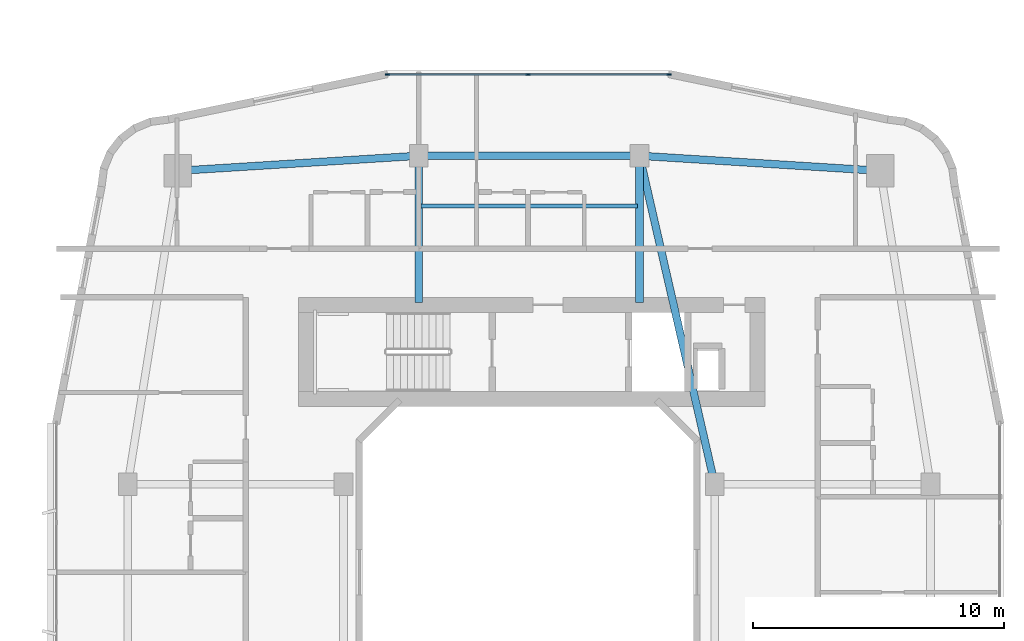
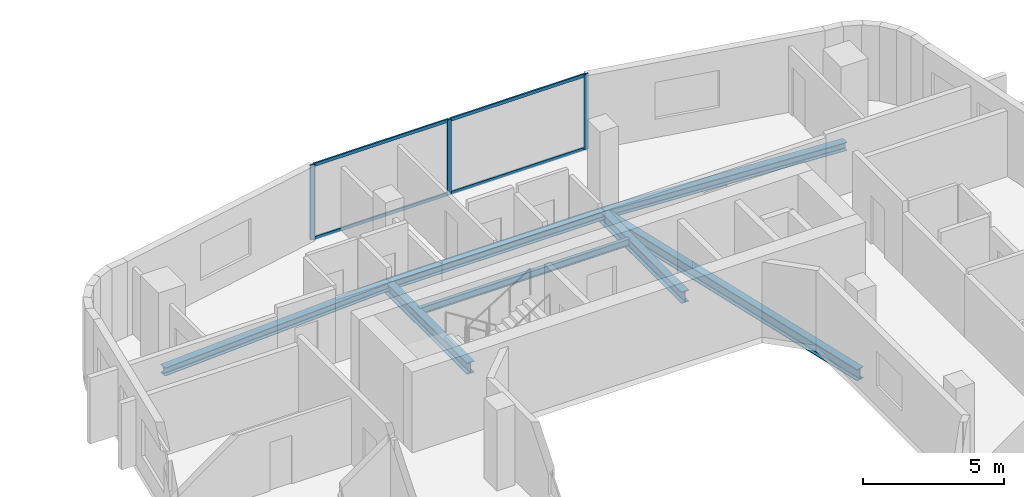
# One storey, part 11 of 26: 7 beams, 7 members, 1 element without a shape of its own.
"""IFC4 building model written with IfcOpenShell, lengths in metres."""

from ifc_helpers import new_model, si_unit, derived_unit, direction, frame, origin, origin_2d, place, context, subcontext, project, spatial, rectangle, i_section, extrude, material, layer, layer_set, material_profile, profile_set, type_object, element, aggregate, save


model = new_model("IFC4")

# Units and contexts
model_context = context("Model", 3, precision=1e-05, world=origin(), true_north=direction((0.0, 1.0)))
body_context = subcontext(model_context, "Body", "Model", "MODEL_VIEW")
ifc_project = project(units=[si_unit("LENGTHUNIT", "METRE"), si_unit("AREAUNIT", "SQUARE_METRE"), si_unit("VOLUMEUNIT", "CUBIC_METRE"), si_unit("PLANEANGLEUNIT", "RADIAN"), si_unit("MASSUNIT", "GRAM", prefix="KILO"), derived_unit("THERMALTRANSMITTANCEUNIT", [(si_unit("POWERUNIT", "WATT"), 1), (si_unit("LENGTHUNIT", "METRE"), -2), (si_unit("THERMODYNAMICTEMPERATUREUNIT", "KELVIN"), -1)])], contexts=[model_context])

# Site, building, storey
site_placement = place(None, origin())
site = spatial("IfcSite", under=ifc_project, at=site_placement, CompositionType="ELEMENT")
building_placement = place(site_placement, origin())
building = spatial("IfcBuilding", under=site, at=building_placement, Name="Kivonza Crest Hotel", CompositionType="ELEMENT")
storey_placement = place(building_placement, frame((0.0, 0.0, 45.0)))
storey = spatial("IfcBuildingStorey", under=building, at=storey_placement, Name="L11", CompositionType="ELEMENT", Elevation=45.0)

# Beams
ifc_material_1 = material(Name="Steel S355", Category="steel")
ifc_material_profile_1 = material_profile(ifc_material_1, i_section(OverallWidth=0.300048828125, OverallDepth=0.360107421875, WebThickness=0.012451171875, FlangeThickness=0.0224609375, FilletRadius=0.027099609375, at=origin_2d()), Name="HEB 360")
ifc_profile_set_1 = profile_set([ifc_material_profile_1], Name="Steel S355")
beam_type_1 = type_object("IfcBeamType", Name="BM-HEB360", PredefinedType="SPANDREL", material=ifc_profile_set_1)
beam_1_placement = place(storey_placement, frame((91.0, 41.0, -0.429931640625), z_axis=(-0.998051985873, 0.062387767186, 0.0), x_axis=(-0.062387767186, -0.998051985873, 0.0)))
element("IfcBeam", 1, at=beam_1_placement, inside=storey, type_object=beam_type_1, Name="Companion Tower T2 L11 perimeter spandrel NE-N2", PredefinedType="SPANDREL", context=body_context, shape_type="SweptSolid", body=[
    extrude(i_section(OverallWidth=0.300048828125, OverallDepth=0.360107421875, WebThickness=0.012451171875, FlangeThickness=0.0224609375, FilletRadius=0.027099609375, at=origin_2d()), origin(), (0.0, 0.0, 1.0), 9.618896484375),
])
beam_2_placement = place(storey_placement, frame((81.39990234375, 41.60009765625, -0.429931640625), z_axis=(-1.0, 0.0, 0.0), x_axis=(0.0, -1.0, 0.0)))
element("IfcBeam", 2, at=beam_2_placement, inside=storey, type_object=beam_type_1, Name="Companion Tower T2 L11 perimeter spandrel N2-N1", PredefinedType="SPANDREL", context=body_context, shape_type="SweptSolid", body=[
    extrude(i_section(OverallWidth=0.300048828125, OverallDepth=0.360107421875, WebThickness=0.012451171875, FlangeThickness=0.0224609375, FilletRadius=0.027099609375, at=origin_2d()), origin(), (0.0, 0.0, 1.0), 8.7998046875),
])
beam_3_placement = place(storey_placement, frame((72.60009765625, 41.60009765625, -0.429931640625), z_axis=(-0.998051985873, -0.062387767186, 0.0), x_axis=(0.062387767186, -0.998051985873, 0.0)))
element("IfcBeam", 3, at=beam_3_placement, inside=storey, type_object=beam_type_1, Name="Companion Tower T2 L11 perimeter spandrel N1-NW", PredefinedType="SPANDREL", context=body_context, shape_type="SweptSolid", body=[
    extrude(i_section(OverallWidth=0.300048828125, OverallDepth=0.360107421875, WebThickness=0.012451171875, FlangeThickness=0.0224609375, FilletRadius=0.027099609375, at=origin_2d()), origin(), (0.0, 0.0, 1.0), 9.618896484375),
])
ifc_material_profile_2 = material_profile(ifc_material_1, i_section(OverallWidth=0.300048828125, OverallDepth=0.5, WebThickness=0.014404296875, FlangeThickness=0.028076171875, FilletRadius=0.027099609375, at=origin_2d()), Name="HEB 500")
ifc_profile_set_2 = profile_set([ifc_material_profile_2], Name="Steel S355")
beam_type_2 = type_object("IfcBeamType", Name="BM-HEB500", PredefinedType="BEAM", material=ifc_profile_set_2)
beam_4_placement = place(storey_placement, frame((84.39990234375, 28.5, -0.5), z_axis=(-0.223227287589, 0.974766422317, 0.0), x_axis=(-0.974766422317, -0.223227287589, 0.0)))
element("IfcBeam", 4, at=beam_4_placement, inside=storey, type_object=beam_type_2, Name="Companion Tower T2 L11 girder WR2-N2", PredefinedType="BEAM", context=body_context, shape_type="SweptSolid", body=[
    extrude(i_section(OverallWidth=0.300048828125, OverallDepth=0.5, WebThickness=0.014404296875, FlangeThickness=0.028076171875, FilletRadius=0.027099609375, at=origin_2d()), origin(), (0.0, 0.0, 1.0), 13.439208984375),
])
for number, where, z_axis, x_axis, name in (
    (5, (72.60009765625, 41.60009765625, -0.5), (0.0, -1.0, 0.0), (1.0, 0.0, 0.0), "Companion T2 L11 radial core girder RN1"),
    (6, (81.39990234375, 41.60009765625, -0.5), (0.0, -1.0, 0.0), (1.0, 0.0, 0.0), "Companion T2 L11 radial core girder RN2"),
):
    element("IfcBeam", number, at=place(storey_placement, frame(where, z_axis=z_axis, x_axis=x_axis)), inside=storey, type_object=beam_type_2, Name=name, PredefinedType="BEAM", context=body_context, shape_type="SweptSolid", body=[
        extrude(i_section(OverallWidth=0.300048828125, OverallDepth=0.5, WebThickness=0.014404296875, FlangeThickness=0.028076171875, FilletRadius=0.027099609375, at=origin_2d()), origin(), (0.0, 0.0, 1.0), 5.85009765625),
    ])
ifc_material_profile_3 = material_profile(ifc_material_1, i_section(OverallWidth=0.14990234375, OverallDepth=0.300048828125, WebThickness=0.007080078125, FlangeThickness=0.0107421875, FilletRadius=0.014892578125, at=origin_2d()), Name="IPE 300")
ifc_profile_set_3 = profile_set([ifc_material_profile_3], Name="Steel S355")
beam_type_3 = type_object("IfcBeamType", Name="BM-IPE300", PredefinedType="JOIST", material=ifc_profile_set_3)
beam_5_placement = place(storey_placement, frame((72.679931640625, 39.60009765625, -0.39990234375), z_axis=(1.0, 0.0, 0.0), x_axis=(0.0, 1.0, 0.0)))
element("IfcBeam", 7, at=beam_5_placement, inside=storey, type_object=beam_type_3, Name="Companion Tower T2 L11 North floor joist", PredefinedType="JOIST", context=body_context, shape_type="SweptSolid", body=[
    extrude(i_section(OverallWidth=0.14990234375, OverallDepth=0.300048828125, WebThickness=0.007080078125, FlangeThickness=0.0107421875, FilletRadius=0.014892578125, at=origin_2d()), origin(), (0.0, 0.0, 1.0), 8.64013671875),
])

# Curtain wall, members
ifc_material_2 = material(Name="Anodised bronze aluminium and low-E double glazing", Category="aluminium")
ifc_layer = layer(ifc_material_2, 0.179931640625)
ifc_layer_set = layer_set([ifc_layer], Name="Anodised bronze aluminium and low-E double glazing")
curtain_wall_type = type_object("IfcCurtainWallType", Name="CW-SYS-4", PredefinedType="NOTDEFINED", material=ifc_layer_set)
curtain_wall_placement = place(storey_placement, origin())
curtain_wall = element("IfcCurtainWall", 8, at=curtain_wall_placement, inside=storey, type_object=curtain_wall_type, Name="L11 unitised curtain wall CW-T2-L11-26", PredefinedType="NOTDEFINED")
ifc_material_3 = material(Name="Anodised bronze aluminium", Category="aluminium")
ifc_material_profile_4 = material_profile(ifc_material_3, rectangle(XDim=0.06494140625, YDim=0.179931640625, at=origin_2d()), Name="CW-M 65x180")
ifc_profile_set_4 = profile_set([ifc_material_profile_4], Name="Anodised bronze aluminium")
member_type_1 = type_object("IfcMemberType", Name="CW-MUL-65x180", PredefinedType="MULLION", material=ifc_profile_set_4)
member_1_placement = place(storey_placement, frame((82.575439453125, 44.840087890625, 0.0), z_axis=(0.0, 0.0, 1.0), x_axis=(0.0, -1.0, 0.0)))
member_1 = element("IfcMember", 9, at=member_1_placement, type_object=member_type_1, Name="CW-4 mullion 1", PredefinedType="MULLION", context=body_context, shape_type="SweptSolid", body=[
    extrude(rectangle(XDim=0.06494140625, YDim=0.179931640625, at=origin_2d()), origin(), (0.0, 0.0, 1.0), 3.25),
])
member_2_placement = place(storey_placement, frame((76.9599609375, 44.840087890625, 0.0), z_axis=(0.0, 0.0, 1.0), x_axis=(0.0, -1.0, 0.0)))
member_2 = element("IfcMember", 10, at=member_2_placement, type_object=member_type_1, Name="CW-4 mullion 2", PredefinedType="MULLION", context=body_context, shape_type="SweptSolid", body=[
    extrude(rectangle(XDim=0.06494140625, YDim=0.179931640625, at=origin_2d()), origin(), (0.0, 0.0, 1.0), 3.25),
])
member_3_placement = place(storey_placement, frame((71.344482421875, 44.840087890625, 0.0), z_axis=(0.0, 0.0, 1.0), x_axis=(0.0, -1.0, 0.0)))
member_3 = element("IfcMember", 11, at=member_3_placement, type_object=member_type_1, Name="CW-4 mullion 3", PredefinedType="MULLION", context=body_context, shape_type="SweptSolid", body=[
    extrude(rectangle(XDim=0.06494140625, YDim=0.179931640625, at=origin_2d()), origin(), (0.0, 0.0, 1.0), 3.25),
])
ifc_material_profile_5 = material_profile(ifc_material_3, rectangle(XDim=0.06494140625, YDim=0.139892578125, at=origin_2d()), Name="CW-T 65x140")
ifc_profile_set_5 = profile_set([ifc_material_profile_5], Name="Anodised bronze aluminium")
member_type_2 = type_object("IfcMemberType", Name="CW-TRN-65x140", PredefinedType="USERDEFINED", material=ifc_profile_set_5)
member_4_placement = place(storey_placement, frame((82.54296875, 44.840087890625, 0.032470703125), z_axis=(-1.0, 0.0, 0.0), x_axis=(0.0, -1.0, 0.0)))
member_4 = element("IfcMember", 12, at=member_4_placement, type_object=member_type_2, Name="CW-4 transom 1.1", ObjectType="TRANSOM", PredefinedType="USERDEFINED", context=body_context, shape_type="SweptSolid", body=[
    extrude(rectangle(XDim=0.06494140625, YDim=0.139892578125, at=origin_2d()), origin(), (0.0, 0.0, 1.0), 5.550537109375),
])
member_5_placement = place(storey_placement, frame((82.54296875, 44.840087890625, 3.217529296875), z_axis=(-1.0, 0.0, 0.0), x_axis=(0.0, -1.0, 0.0)))
member_5 = element("IfcMember", 13, at=member_5_placement, type_object=member_type_2, Name="CW-4 transom 1.2", ObjectType="TRANSOM", PredefinedType="USERDEFINED", context=body_context, shape_type="SweptSolid", body=[
    extrude(rectangle(XDim=0.06494140625, YDim=0.139892578125, at=origin_2d()), origin(), (0.0, 0.0, 1.0), 5.550537109375),
])
member_6_placement = place(storey_placement, frame((76.927490234375, 44.840087890625, 0.032470703125), z_axis=(-1.0, 0.0, 0.0), x_axis=(0.0, -1.0, 0.0)))
member_6 = element("IfcMember", 14, at=member_6_placement, type_object=member_type_2, Name="CW-4 transom 2.1", ObjectType="TRANSOM", PredefinedType="USERDEFINED", context=body_context, shape_type="SweptSolid", body=[
    extrude(rectangle(XDim=0.06494140625, YDim=0.139892578125, at=origin_2d()), origin(), (0.0, 0.0, 1.0), 5.550537109375),
])
member_7_placement = place(storey_placement, frame((76.927490234375, 44.840087890625, 3.217529296875), z_axis=(-1.0, 0.0, 0.0), x_axis=(0.0, -1.0, 0.0)))
member_7 = element("IfcMember", 15, at=member_7_placement, type_object=member_type_2, Name="CW-4 transom 2.2", ObjectType="TRANSOM", PredefinedType="USERDEFINED", context=body_context, shape_type="SweptSolid", body=[
    extrude(rectangle(XDim=0.06494140625, YDim=0.139892578125, at=origin_2d()), origin(), (0.0, 0.0, 1.0), 5.550537109375),
])
aggregate(curtain_wall, [member_1, member_2, member_3, member_4, member_5, member_6, member_7])

save(model, "model.ifc")
